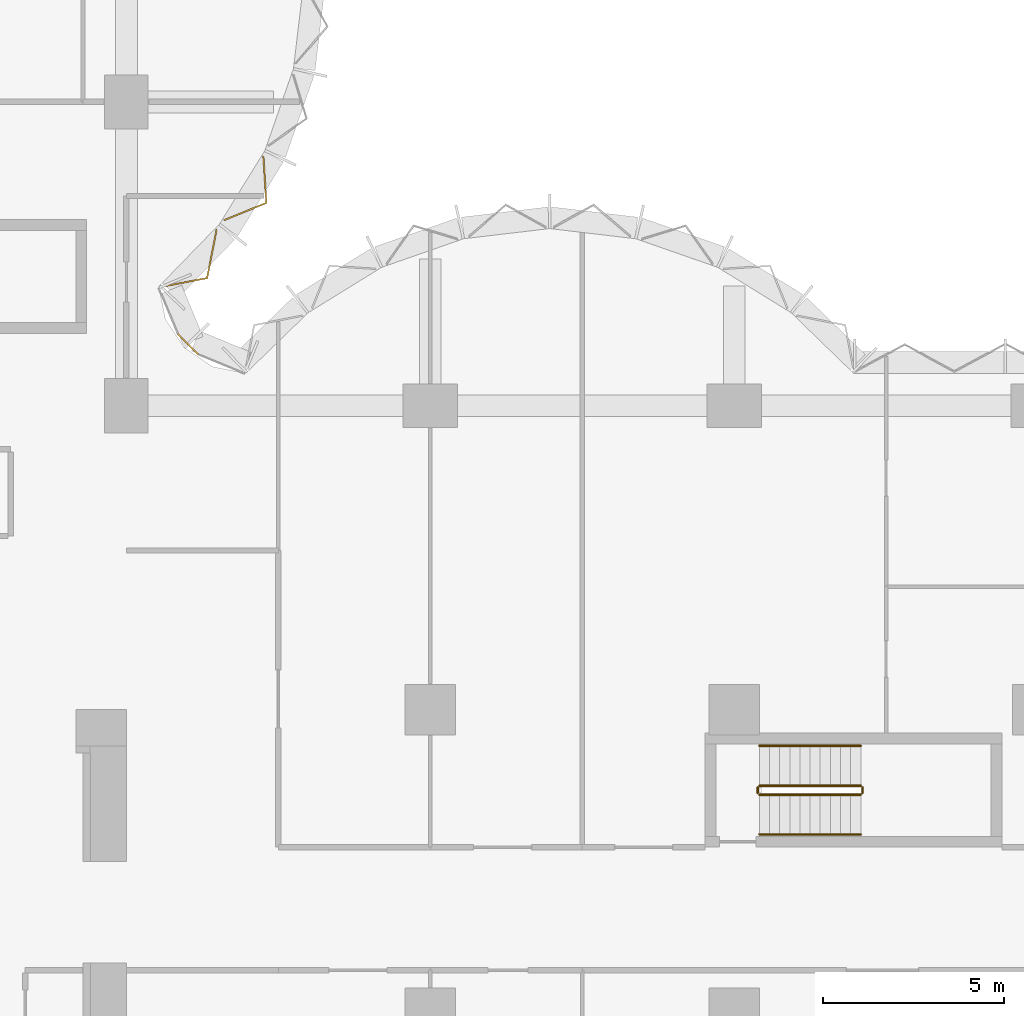
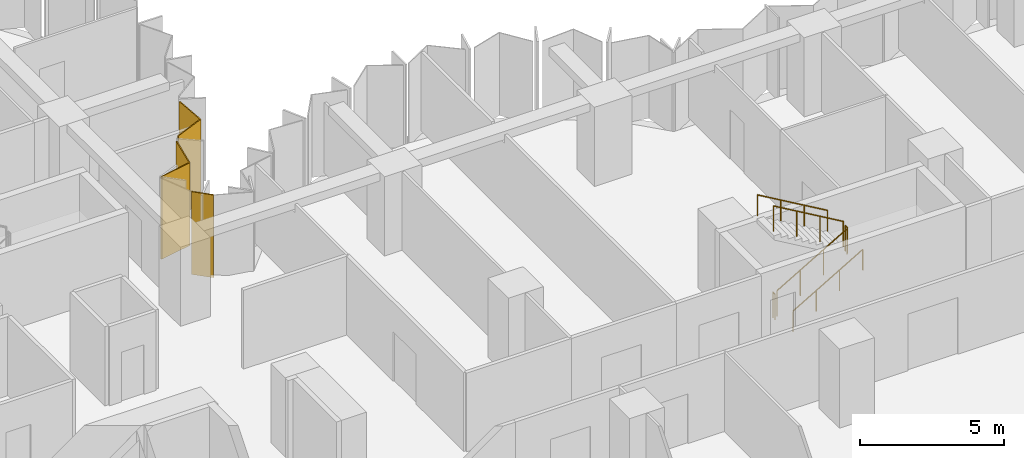
# One storey, part 14 of 15: 6 railings, 3 coverings, 2 elements without a shape of their own.
"""IFC4 building model written with IfcOpenShell, lengths in metres."""

from ifc_helpers import new_model, si_unit, direction, frame, origin, origin_2d, place, context, subcontext, project, spatial, polyline, circle, outline, extrude, material, layer, layer_set, type_object, element, aggregate, save


model = new_model("IFC4")

# Units and contexts
model_context = context("Model", 3, precision=1e-05, world=origin(), true_north=direction((0.0, 1.0)))
body_context = subcontext(model_context, "Body", "Model", "MODEL_VIEW")
ifc_project = project(units=[si_unit("LENGTHUNIT", "METRE"), si_unit("AREAUNIT", "SQUARE_METRE"), si_unit("VOLUMEUNIT", "CUBIC_METRE"), si_unit("PLANEANGLEUNIT", "RADIAN"), si_unit("MASSUNIT", "GRAM", prefix="KILO")], contexts=[model_context])

# Site, building, storey
site_placement = place(None, origin())
site = spatial("IfcSite", under=ifc_project, at=site_placement, CompositionType="ELEMENT")
building_placement = place(site_placement, origin())
building = spatial("IfcBuilding", under=site, at=building_placement, Name="Brevane Broadcast Tower", CompositionType="ELEMENT")
storey_placement = place(building_placement, frame((0.0, 0.0, 68.89990234375)))
storey = spatial("IfcBuildingStorey", under=building, at=storey_placement, Name="L15", CompositionType="ELEMENT", Elevation=68.89990234375)

# Railings
ifc_material_1 = material(Name="Steel S355", Category="steel")
railing_type_1 = type_object("IfcRailingType", Name="Exit stair guard", PredefinedType="GUARDRAIL", material=ifc_material_1)
railing_1_placement = place(storey_placement, frame((42.699951171875, 14.449951171875, 0.163818359375)))
element("IfcRailing", 1, at=railing_1_placement, inside=storey, type_object=railing_type_1, Name="L15 ST-4 stair guard 1", PredefinedType="GUARDRAIL", context=body_context, shape_type="SweptSolid", body=[
    extrude(circle(Radius=0.02392578125, at=origin_2d()), frame((0.0, 0.0, 1.076171875), z_axis=(0.863393664356, 0.0, 0.504530851732), x_axis=(0.0, 1.0, 0.0)), (0.0, 0.0, 1.0), 3.2431640625),
    extrude(circle(Radius=0.02099609375, at=origin_2d()), origin(), (0.0, 0.0, 1.0), 1.052001953125),
    extrude(circle(Radius=0.02099609375, at=origin_2d()), frame((0.933349609375, 0.0, 0.54541015625)), (0.0, 0.0, 1.0), 1.052001953125),
    extrude(circle(Radius=0.02099609375, at=origin_2d()), frame((1.86669921875, 0.0, 1.0908203125)), (0.0, 0.0, 1.0), 1.052001953125),
    extrude(circle(Radius=0.02099609375, at=origin_2d()), frame((2.800048828125, 0.0, 1.63623046875)), (0.0, 0.0, 1.0), 1.052001953125),
])
railing_2_placement = place(storey_placement, frame((45.550048828125, 14.5, 1.800048828125)))
element("IfcRailing", 2, at=railing_2_placement, inside=storey, type_object=railing_type_1, Name="L15 ST-4 stair guard 2", PredefinedType="GUARDRAIL", context=body_context, shape_type="SweptSolid", body=[
    extrude(circle(Radius=0.02392578125, at=origin_2d()), frame((0.0, 0.0, 1.076171875), z_axis=(0.0, 1.0, 0.0), x_axis=(-1.0, 0.0, 0.0)), (0.0, 0.0, 1.0), 0.14990234375),
    extrude(circle(Radius=0.02099609375, at=origin_2d()), origin(), (0.0, 0.0, 1.0), 1.052001953125),
    extrude(circle(Radius=0.02099609375, at=origin_2d()), frame((0.0, 0.14990234375, 0.0)), (0.0, 0.0, 1.0), 1.052001953125),
])
railing_3_placement = place(storey_placement, frame((45.5, 14.699951171875, 1.963623046875)))
element("IfcRailing", 3, at=railing_3_placement, inside=storey, type_object=railing_type_1, Name="L15 ST-4 stair guard 3", PredefinedType="GUARDRAIL", context=body_context, shape_type="SweptSolid", body=[
    extrude(circle(Radius=0.02392578125, at=origin_2d()), frame((0.0, 0.0, 1.076171875), z_axis=(-0.863360870873, 0.0, 0.504586966384), x_axis=(0.0, -1.0, 0.0)), (0.0, 0.0, 1.0), 3.2431640625),
    extrude(circle(Radius=0.02099609375, at=origin_2d()), origin(), (0.0, 0.0, 1.0), 1.052001953125),
    extrude(circle(Radius=0.02099609375, at=origin_2d()), frame((-0.933349609375, 0.0, 0.54541015625)), (0.0, 0.0, 1.0), 1.052001953125),
    extrude(circle(Radius=0.02099609375, at=origin_2d()), frame((-1.86669921875, 0.0, 1.091064453125)), (0.0, 0.0, 1.0), 1.052001953125),
    extrude(circle(Radius=0.02099609375, at=origin_2d()), frame((-2.800048828125, 0.0, 1.636474609375)), (0.0, 0.0, 1.0), 1.052001953125),
])
railing_4_placement = place(storey_placement, frame((42.64990234375, 14.5, 0.0)))
element("IfcRailing", 4, at=railing_4_placement, inside=storey, type_object=railing_type_1, Name="L15 ST-4 stair guard 4", PredefinedType="GUARDRAIL", context=body_context, shape_type="SweptSolid", body=[
    extrude(circle(Radius=0.02392578125, at=origin_2d()), frame((0.0, 0.0, 1.076171875), z_axis=(0.0, 1.0, 0.0), x_axis=(-1.0, 0.0, 0.0)), (0.0, 0.0, 1.0), 0.14990234375),
    extrude(circle(Radius=0.02099609375, at=origin_2d()), origin(), (0.0, 0.0, 1.0), 1.052001953125),
    extrude(circle(Radius=0.02099609375, at=origin_2d()), frame((0.0, 0.14990234375, 0.0)), (0.0, 0.0, 1.0), 1.052001953125),
])
railing_type_2 = type_object("IfcRailingType", Name="Exit stair handrail", PredefinedType="HANDRAIL", material=ifc_material_1)
railing_5_placement = place(storey_placement, frame((42.699951171875, 13.35009765625, 0.163818359375)))
element("IfcRailing", 5, at=railing_5_placement, inside=storey, type_object=railing_type_2, Name="L15 ST-4 stair handrail 1", PredefinedType="HANDRAIL", context=body_context, shape_type="SweptSolid", body=[
    extrude(circle(Radius=0.02392578125, at=origin_2d()), frame((0.0, 0.0, 0.8759765625), z_axis=(0.863393664356, 0.0, 0.504530851732), x_axis=(0.0, 1.0, 0.0)), (0.0, 0.0, 1.0), 3.2431640625),
    extrude(circle(Radius=0.02099609375, at=origin_2d()), origin(), (0.0, 0.0, 1.0), 0.851806640625),
    extrude(circle(Radius=0.02099609375, at=origin_2d()), frame((0.933349609375, 0.0, 0.54541015625)), (0.0, 0.0, 1.0), 0.851806640625),
    extrude(circle(Radius=0.02099609375, at=origin_2d()), frame((1.86669921875, 0.0, 1.0908203125)), (0.0, 0.0, 1.0), 0.851806640625),
    extrude(circle(Radius=0.02099609375, at=origin_2d()), frame((2.800048828125, 0.0, 1.63623046875)), (0.0, 0.0, 1.0), 0.851806640625),
])
railing_6_placement = place(storey_placement, frame((45.5, 15.800048828125, 1.963623046875)))
element("IfcRailing", 6, at=railing_6_placement, inside=storey, type_object=railing_type_2, Name="L15 ST-4 stair handrail 2", PredefinedType="HANDRAIL", context=body_context, shape_type="SweptSolid", body=[
    extrude(circle(Radius=0.02392578125, at=origin_2d()), frame((0.0, 0.0, 0.8759765625), z_axis=(-0.863360870873, 0.0, 0.504586966384), x_axis=(0.0, -1.0, 0.0)), (0.0, 0.0, 1.0), 3.2431640625),
    extrude(circle(Radius=0.02099609375, at=origin_2d()), origin(), (0.0, 0.0, 1.0), 0.851806640625),
    extrude(circle(Radius=0.02099609375, at=origin_2d()), frame((-0.933349609375, 0.0, 0.54541015625)), (0.0, 0.0, 1.0), 0.851806640625),
    extrude(circle(Radius=0.02099609375, at=origin_2d()), frame((-1.86669921875, 0.0, 1.091064453125)), (0.0, 0.0, 1.0), 0.851806640625),
    extrude(circle(Radius=0.02099609375, at=origin_2d()), frame((-2.800048828125, 0.0, 1.636474609375)), (0.0, 0.0, 1.0), 0.851806640625),
])

# Curtain wall, coverings
ifc_material_2 = material(Name="Aluminium 6063-T6 bronze anodised", Category="aluminium")
curtain_wall_type = type_object("IfcCurtainWallType", Name="CW-1 curtain wall", PredefinedType="NOTDEFINED", material=ifc_material_2)
curtain_wall_1_placement = place(storey_placement, origin())
curtain_wall_1 = element("IfcCurtainWall", 7, at=curtain_wall_1_placement, inside=storey, type_object=curtain_wall_type, Name="CW-1 typical tilted unit L15 north bow", PredefinedType="NOTDEFINED")
ifc_material_3 = material(Name="Back-painted bronze glass shadow-box", Category="glass")
ifc_layer = layer(ifc_material_3, 0.0400390625)
ifc_layer_set = layer_set([ifc_layer], Name="Shadow-box panel 40")
covering_type = type_object("IfcCoveringType", Name="Shadow-box panel 40", PredefinedType="CLADDING", material=ifc_layer_set)
covering_1_placement = place(storey_placement, frame((0.0, 0.0, -0.14990234375)))
covering_1 = element("IfcCovering", 8, at=covering_1_placement, type_object=covering_type, Name="Shadow-box panel", PredefinedType="CLADDING", context=body_context, shape_type="SweptSolid", body=[
    extrude(outline(polyline([(26.14404296875, 28.506103515625), (26.17919921875, 28.471923828125), (27.447265625, 28.7138671875), (27.71142578125, 30.0615234375), (27.67626953125, 30.089111328125), (27.4130859375, 28.748046875), (26.14404296875, 28.506103515625)])), origin(), (0.0, 0.0, 1.0), 3.5),
])
covering_2_placement = place(storey_placement, frame((0.0, 0.0, -0.14990234375)))
covering_2 = element("IfcCovering", 9, at=covering_2_placement, type_object=covering_type, Name="Shadow-box panel", PredefinedType="CLADDING", context=body_context, shape_type="SweptSolid", body=[
    extrude(outline(polyline([(27.8759765625, 30.343017578125), (27.912109375, 30.314697265625), (29.089111328125, 30.7958984375), (29.006591796875, 32.08935546875), (28.96533203125, 32.10888671875), (29.04736328125, 30.822265625), (27.8759765625, 30.343017578125)])), origin(), (0.0, 0.0, 1.0), 3.5),
])
aggregate(curtain_wall_1, [covering_1, covering_2])

# Curtain wall, covering
curtain_wall_2_placement = place(storey_placement, origin())
curtain_wall_2 = element("IfcCurtainWall", 10, at=curtain_wall_2_placement, inside=storey, type_object=curtain_wall_type, Name="CW-1 typical tilted unit L15 inner corner", PredefinedType="NOTDEFINED")
covering_3_placement = place(storey_placement, frame((0.0, 0.0, -0.14990234375)))
covering_3 = element("IfcCovering", 11, at=covering_3_placement, type_object=covering_type, Name="Closure panel", PredefinedType="CLADDING", context=body_context, shape_type="SweptSolid", body=[
    extrude(outline(polyline([(27.17138671875, 26.60498046875), (27.2021484375, 26.635498046875), (26.635498046875, 27.2021484375), (26.60498046875, 27.17138671875), (27.17138671875, 26.60498046875)])), origin(), (0.0, 0.0, 1.0), 3.5),
])
aggregate(curtain_wall_2, [covering_3])

save(model, "model.ifc")
